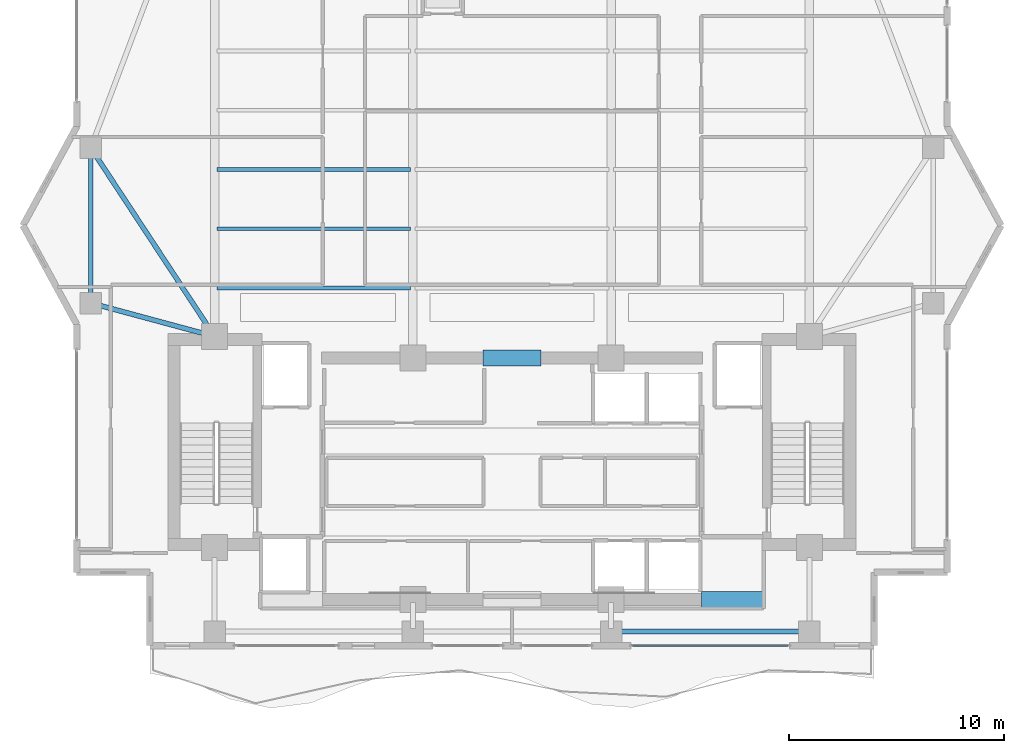
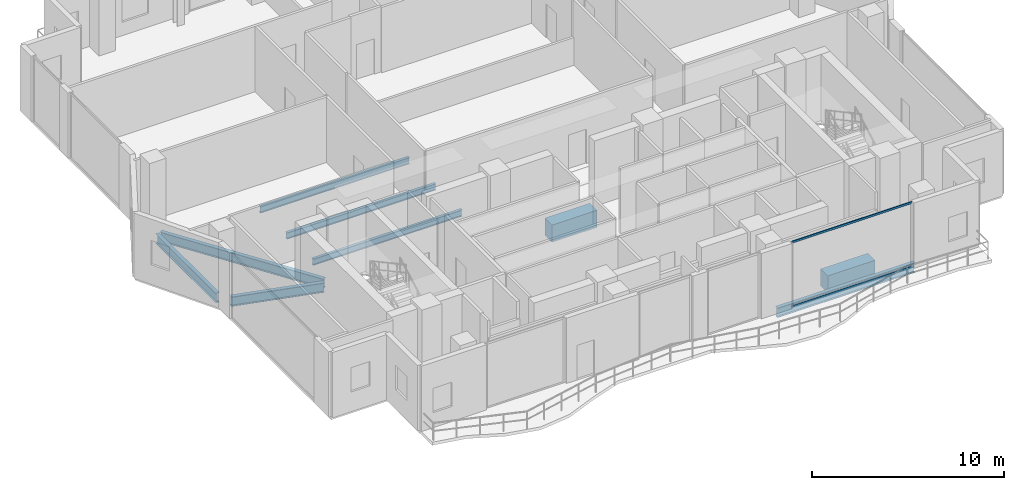
# One storey, part 5 of 24: 9 beams, 2 members, 1 element without a shape of its own.
"""IFC4 building model written with IfcOpenShell, lengths in metres."""

from ifc_helpers import new_model, si_unit, direction, frame, origin, origin_2d, place, context, subcontext, project, spatial, rectangle, hollow_rectangle, i_section, extrude, material, layer, layer_set, material_profile, profile_set, type_object, element, aggregate, save


model = new_model("IFC4")

# Units and contexts
model_context = context("Model", 3, precision=1e-05, world=origin(), true_north=direction((0.0, 1.0)))
body_context = subcontext(model_context, "Body", "Model", "MODEL_VIEW")
ifc_project = project(units=[si_unit("LENGTHUNIT", "METRE"), si_unit("AREAUNIT", "SQUARE_METRE"), si_unit("VOLUMEUNIT", "CUBIC_METRE"), si_unit("PLANEANGLEUNIT", "RADIAN"), si_unit("MASSUNIT", "GRAM", prefix="KILO")], contexts=[model_context])

# Site, building, storey
site_placement = place(None, origin())
site = spatial("IfcSite", under=ifc_project, at=site_placement, CompositionType="ELEMENT")
building_placement = place(site_placement, origin())
building = spatial("IfcBuilding", under=site, at=building_placement, Name="Zuhayl Quay Hotel", CompositionType="ELEMENT")
storey_placement = place(building_placement, frame((0.0, 0.0, 292.85009765625)))
storey = spatial("IfcBuildingStorey", under=building, at=storey_placement, Name="L74", CompositionType="ELEMENT", Elevation=292.85009765625)

# Beams
ifc_material_1 = material(Name="Steel ASTM A992 Grade 50", Category="steel")
ifc_material_profile_1 = material_profile(ifc_material_1, i_section(OverallWidth=0.22802734375, OverallDepth=0.60693359375, WebThickness=0.01123046875, FlangeThickness=0.017333984375, at=origin_2d()), Name="W24X76")
ifc_profile_set_1 = profile_set([ifc_material_profile_1], Name="Steel ASTM A992 Grade 50")
beam_type_1 = type_object("IfcBeamType", Name="BM_B3_W24X76", PredefinedType="BEAM", material=ifc_profile_set_1)
beam_1_placement = place(storey_placement, frame((5.06005859375, 0.64990234375, -0.523681640625), z_axis=(1.0, 0.0, 0.0), x_axis=(0.0, 1.0, 0.0)))
element("IfcBeam", 1, at=beam_1_placement, inside=storey, type_object=beam_type_1, Name="L74 Floor Beam RG_L74_03", PredefinedType="BEAM", context=body_context, shape_type="SweptSolid", body=[
    extrude(i_section(OverallWidth=0.22802734375, OverallDepth=0.60693359375, WebThickness=0.01123046875, FlangeThickness=0.017333984375, at=origin_2d()), origin(), (0.0, 0.0, 1.0), 8.280029296875),
])
beam_2_placement = place(storey_placement, frame((-19.550048828125, 22.639892578125, -0.523681640625), z_axis=(0.0, -1.0, 0.0), x_axis=(1.0, 0.0, 0.0)))
element("IfcBeam", 2, at=beam_2_placement, inside=storey, type_object=beam_type_1, Name="L74 Floor Beam RG_L74_11", PredefinedType="BEAM", context=body_context, shape_type="SweptSolid", body=[
    extrude(i_section(OverallWidth=0.22802734375, OverallDepth=0.60693359375, WebThickness=0.01123046875, FlangeThickness=0.017333984375, at=origin_2d()), origin(), (0.0, 0.0, 1.0), 6.27978515625),
])
beam_3_placement = place(storey_placement, frame((-19.10595703125, 15.7802734375, -0.523681640625), z_axis=(0.965530205773, -0.26029103277, 0.0), x_axis=(0.26029103277, 0.965530205773, 0.0)))
element("IfcBeam", 3, at=beam_3_placement, inside=storey, type_object=beam_type_1, Name="L74 Floor Beam FG_W_L74_1", PredefinedType="BEAM", context=body_context, shape_type="SweptSolid", body=[
    extrude(i_section(OverallWidth=0.22802734375, OverallDepth=0.60693359375, WebThickness=0.01123046875, FlangeThickness=0.017333984375, at=origin_2d()), origin(), (0.0, 0.0, 1.0), 5.045166015625),
])
beam_4_placement = place(storey_placement, frame((-19.29736328125, 22.715576171875, -0.523681640625), z_axis=(0.549177886661, -0.835705479701, 0.0), x_axis=(0.835705479701, 0.549177886661, 0.0)))
element("IfcBeam", 4, at=beam_4_placement, inside=storey, type_object=beam_type_1, Name="L74 Floor Beam FG_W_L74_2", PredefinedType="BEAM", context=body_context, shape_type="SweptSolid", body=[
    extrude(i_section(OverallWidth=0.22802734375, OverallDepth=0.60693359375, WebThickness=0.01123046875, FlangeThickness=0.017333984375, at=origin_2d()), origin(), (0.0, 0.0, 1.0), 9.560302734375),
])
ifc_material_2 = material(Name="Concrete C60/75", Category="concrete")
ifc_material_profile_2 = material_profile(ifc_material_2, rectangle(XDim=0.75, YDim=1.10009765625, at=origin_2d()), Name="RC750X1100")
ifc_profile_set_2 = profile_set([ifc_material_profile_2], Name="Concrete C60/75")
beam_type_2 = type_object("IfcBeamType", Name="BM_CB2_RC750", PredefinedType="T_BEAM", material=ifc_profile_set_2)
beam_5_placement = place(storey_placement, frame((8.800048828125, 2.14990234375, -0.77001953125), z_axis=(1.0, 0.0, 0.0), x_axis=(0.0, 1.0, 0.0)))
element("IfcBeam", 5, at=beam_5_placement, inside=storey, type_object=beam_type_2, Name="L74 Core Coupling Beam SE", PredefinedType="T_BEAM", context=body_context, shape_type="SweptSolid", body=[
    extrude(rectangle(XDim=0.75, YDim=1.10009765625, at=origin_2d()), origin(), (0.0, 0.0, 1.0), 2.849853515625),
])
beam_6_placement = place(storey_placement, frame((-1.35009765625, 13.35009765625, -0.77001953125), z_axis=(1.0, 0.0, 0.0), x_axis=(0.0, 1.0, 0.0)))
element("IfcBeam", 6, at=beam_6_placement, inside=storey, type_object=beam_type_2, Name="L74 Core Coupling Beam North", PredefinedType="T_BEAM", context=body_context, shape_type="SweptSolid", body=[
    extrude(rectangle(XDim=0.75, YDim=1.10009765625, at=origin_2d()), origin(), (0.0, 0.0, 1.0), 2.7001953125),
])
ifc_material_profile_3 = material_profile(ifc_material_1, i_section(OverallWidth=0.177978515625, OverallDepth=0.404052734375, WebThickness=0.007568359375, FlangeThickness=0.010986328125, at=origin_2d()), Name="W16X36")
ifc_profile_set_3 = profile_set([ifc_material_profile_3], Name="Steel ASTM A992 Grade 50")
beam_type_3 = type_object("IfcBeamType", Name="BM_J3_W16X36", PredefinedType="JOIST", material=ifc_profile_set_3)
for number, where, z_axis, x_axis, name in (
    (7, (-13.694091796875, 16.60009765625, -0.422119140625), (1.0, 0.0, 0.0), (0.0, 1.0, 0.0), "L74 Floor Beam FJ_L74_1_1"),
    (8, (-13.694091796875, 19.35009765625, -0.422119140625), (1.0, 0.0, 0.0), (0.0, 1.0, 0.0), "L74 Floor Beam FJ_L74_2_1"),
    (9, (-13.694091796875, 22.10009765625, -0.422119140625), (1.0, 0.0, 0.0), (0.0, 1.0, 0.0), "L74 Floor Beam FJ_L74_3_1"),
):
    element("IfcBeam", number, at=place(storey_placement, frame(where, z_axis=z_axis, x_axis=x_axis)), inside=storey, type_object=beam_type_3, Name=name, PredefinedType="JOIST", context=body_context, shape_type="SweptSolid", body=[
        extrude(i_section(OverallWidth=0.177978515625, OverallDepth=0.404052734375, WebThickness=0.007568359375, FlangeThickness=0.010986328125, at=origin_2d()), origin(), (0.0, 0.0, 1.0), 8.988037109375),
    ])

# Curtain wall, members
ifc_material_3 = material(Name="Anodised Aluminium 6063-T6", Category="aluminium")
ifc_layer = layer(ifc_material_3, 0.169921875, Name="Anodised Aluminium 6063-T6", Category="aluminium")
ifc_layer_set = layer_set([ifc_layer], Name="Anodised Aluminium 6063-T6")
curtain_wall_type = type_object("IfcCurtainWallType", Name="CW_SYS_Z4", PredefinedType="USERDEFINED", material=ifc_layer_set)
curtain_wall_placement = place(storey_placement, origin())
curtain_wall = element("IfcCurtainWall", 10, at=curtain_wall_placement, inside=storey, type_object=curtain_wall_type, Name="L74 Curtain Wall ENV_L74_S_CW1", ObjectType="UNITISED CURTAIN WALL", PredefinedType="USERDEFINED")
ifc_material_4 = material(Name="Black-anodised aluminium 6063-T6", Category="aluminium")
ifc_material_profile_4 = material_profile(ifc_material_4, hollow_rectangle(XDim=0.054931640625, YDim=0.1298828125, WallThickness=0.0029296875, at=origin_2d()), Name="ALU130X55")
ifc_profile_set_4 = profile_set([ifc_material_profile_4], Name="Black-anodised aluminium 6063-T6")
member_type = type_object("IfcMemberType", Name="MB_CW_TRN_130", PredefinedType="USERDEFINED", material=ifc_profile_set_4)
member_1_placement = place(storey_placement, frame((12.81494140625, 0.0, 0.02734375), z_axis=(-1.0, 0.0, 0.0), x_axis=(0.0, -1.0, 0.0)))
member_1 = element("IfcMember", 11, at=member_1_placement, type_object=member_type, Name="CW-Z4 transom 1.1", ObjectType="TRANSOM", PredefinedType="USERDEFINED", context=body_context, shape_type="SweptSolid", body=[
    extrude(hollow_rectangle(XDim=0.054931640625, YDim=0.1298828125, WallThickness=0.0029296875, at=origin_2d()), origin(), (0.0, 0.0, 1.0), 7.22998046875),
])
member_2_placement = place(storey_placement, frame((12.81494140625, 0.0, 4.13232421875), z_axis=(-1.0, 0.0, 0.0), x_axis=(0.0, -1.0, 0.0)))
member_2 = element("IfcMember", 12, at=member_2_placement, type_object=member_type, Name="CW-Z4 transom 1.2", ObjectType="TRANSOM", PredefinedType="USERDEFINED", context=body_context, shape_type="SweptSolid", body=[
    extrude(hollow_rectangle(XDim=0.054931640625, YDim=0.1298828125, WallThickness=0.0029296875, at=origin_2d()), origin(), (0.0, 0.0, 1.0), 7.22998046875),
])
aggregate(curtain_wall, [member_1, member_2])

save(model, "model.ifc")
